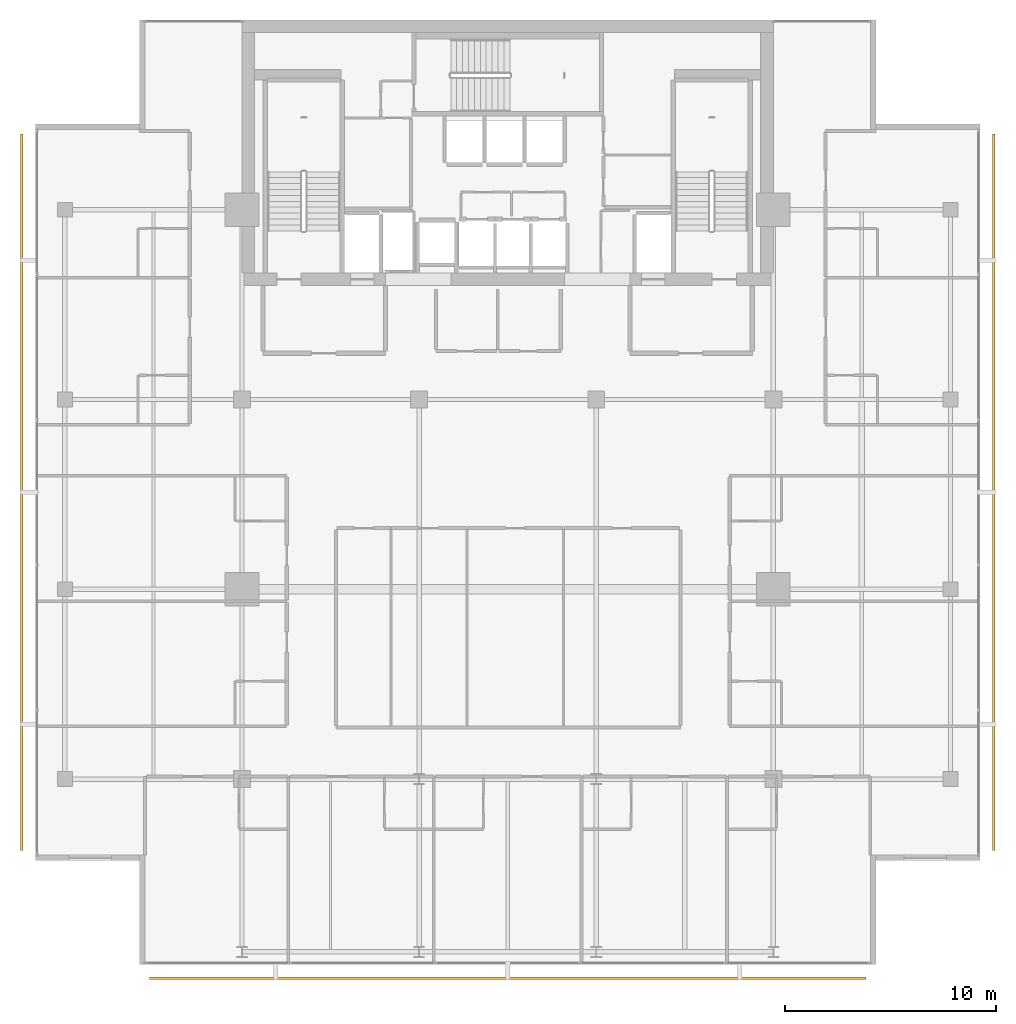
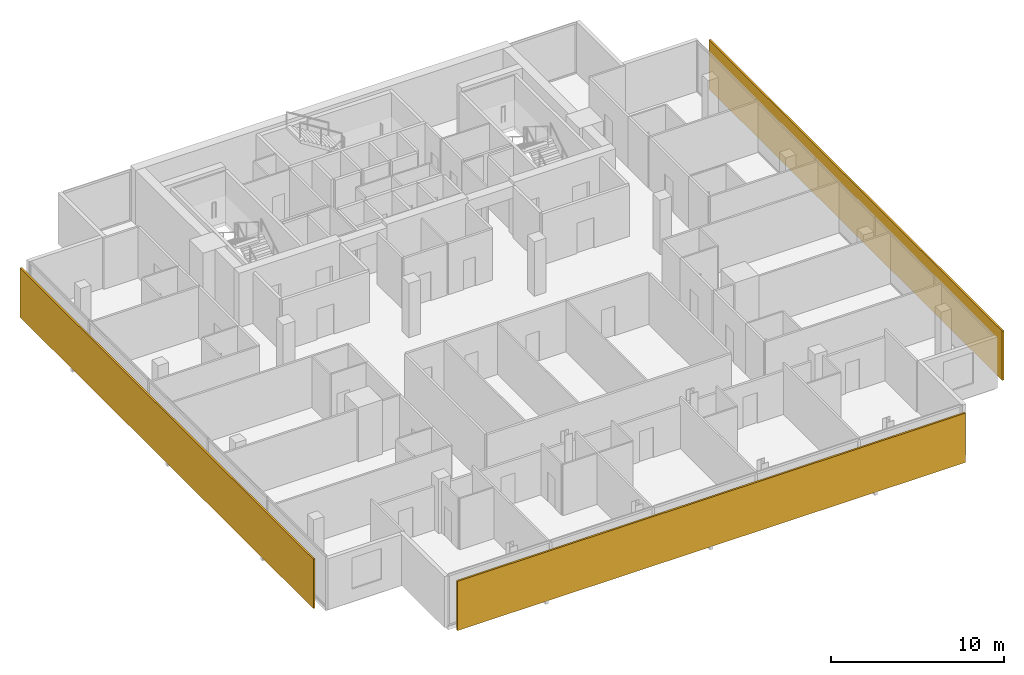
# One storey, part 25 of 26: 3 shading devices.
"""IFC4 building model written with IfcOpenShell, lengths in metres."""

from ifc_helpers import new_model, si_unit, direction, frame, origin, origin_2d, place, context, subcontext, project, spatial, rectangle, extrude, material, layer, layer_set, type_object, element, save


model = new_model("IFC4")

# Units and contexts
model_context = context("Model", 3, precision=1e-05, world=origin(), true_north=direction((0.0, 1.0)))
body_context = subcontext(model_context, "Body", "Model", "MODEL_VIEW")
ifc_project = project(units=[si_unit("LENGTHUNIT", "METRE"), si_unit("AREAUNIT", "SQUARE_METRE"), si_unit("VOLUMEUNIT", "CUBIC_METRE"), si_unit("PLANEANGLEUNIT", "RADIAN"), si_unit("MASSUNIT", "GRAM", prefix="KILO")], contexts=[model_context])

# Site, building, storey
site_placement = place(None, origin())
site = spatial("IfcSite", under=ifc_project, at=site_placement, CompositionType="ELEMENT")
building_placement = place(site_placement, origin())
building = spatial("IfcBuilding", under=site, at=building_placement, Name="Maruvema Waterfront Hotel and Observation Tower", CompositionType="ELEMENT")
storey_placement = place(building_placement, frame((0.0, 0.0, 266.35009765625)))
storey = spatial("IfcBuildingStorey", under=building, at=storey_placement, Name="L65", CompositionType="ELEMENT", Elevation=266.35009765625)

# Shading devices
ifc_material = material(Name="Honed travertine stone and anodised architectural bronze", Category="masonry")
ifc_layer = layer(ifc_material, 0.1201171875, Name="Ventilated Outer Skin Cobogo Stone-and-Bronze Screen 120 mm")
ifc_layer_set = layer_set([ifc_layer], Name="Honed travertine stone and anodised architectural bronze")
shading_device_type = type_object("IfcShadingDeviceType", Name="Ventilated Outer Skin Cobogo Stone-and-Bronze Screen 120 mm", PredefinedType="USERDEFINED", material=ifc_layer_set)
for number, where, z_axis, x_axis, name in (
    (1, (37.800048828125, 8.550048828125, 0.06005859375), (0.0, 0.0, 1.0), (1.0, 0.0, 0.0), "L65 Ventilated Double-Skin Outer Cobogo Screen OS-L65-S"),
    (2, (60.85009765625, 31.60009765625, 0.06005859375), (0.0, 0.0, 1.0), (0.0, 1.0, 0.0), "L65 Ventilated Double-Skin Outer Cobogo Screen OS-L65-E"),
    (3, (14.75, 31.60009765625, 0.06005859375), (0.0, 0.0, 1.0), (0.0, -1.0, 0.0), "L65 Ventilated Double-Skin Outer Cobogo Screen OS-L65-W"),
):
    element("IfcShadingDevice", number, at=place(storey_placement, frame(where, z_axis=z_axis, x_axis=x_axis)), inside=storey, type_object=shading_device_type, Name=name, ObjectType="OUTER SKIN SCREEN", PredefinedType="USERDEFINED", context=body_context, shape_type="SweptSolid", body=[
        extrude(rectangle(XDim=34.0, YDim=0.1201171875, at=origin_2d()), origin(), (0.0, 0.0, 1.0), 3.489990234375),
    ])

save(model, "model.ifc")
